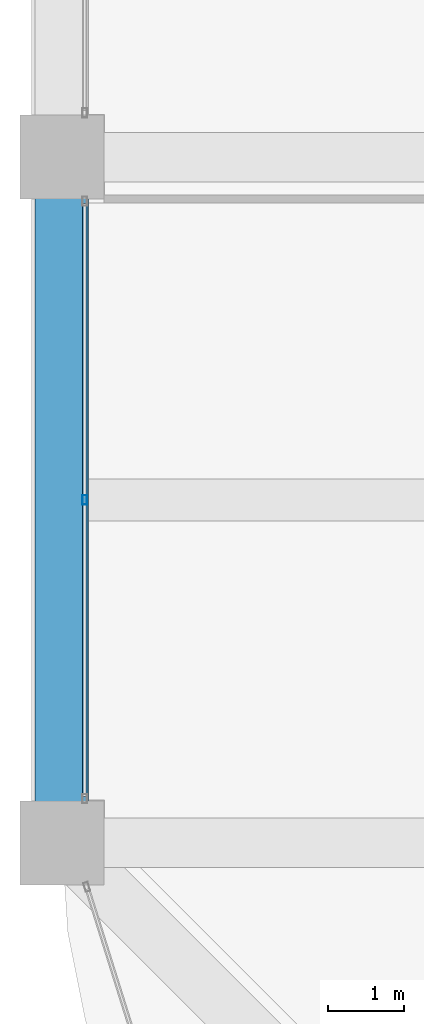
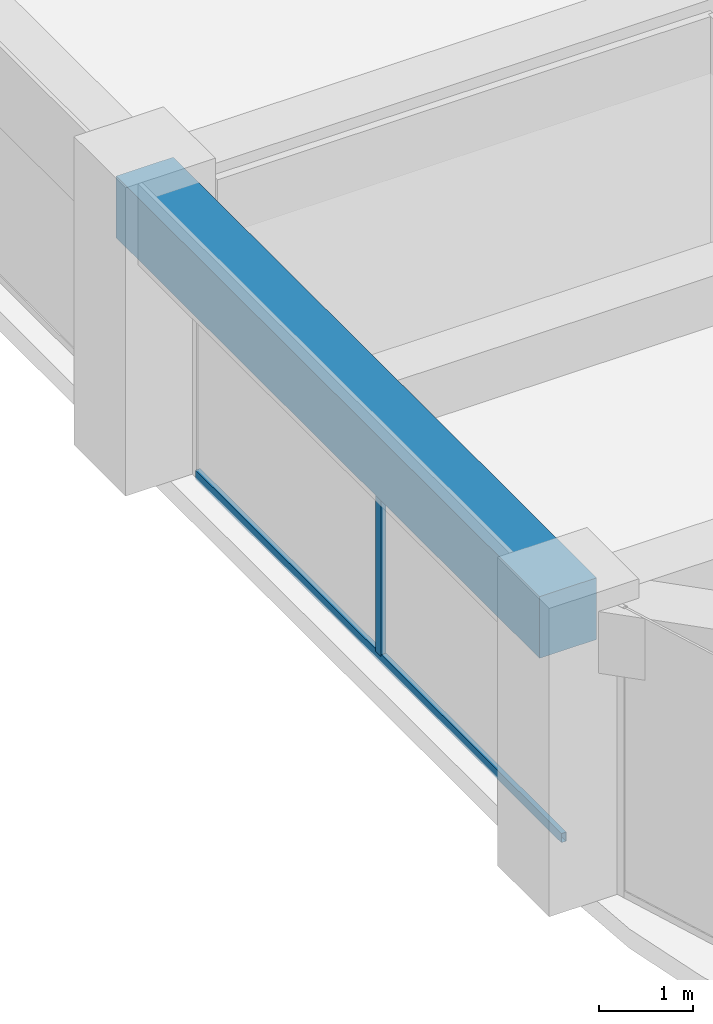
# One storey, part 7 of 44: 2 members, 1 beam, 1 element without a shape of its own.
"""IFC4 building model written with IfcOpenShell, lengths in metres."""

from ifc_helpers import new_model, si_unit, direction, frame, origin, origin_2d, place, context, subcontext, project, spatial, rectangle, hollow_rectangle, extrude, material, material_profile, profile_set, type_object, element, aggregate, save


model = new_model("IFC4")

# Units and contexts
model_context = context("Model", 3, precision=1e-05, world=origin(), true_north=direction((0.0, 1.0)))
body_context = subcontext(model_context, "Body", "Model", "MODEL_VIEW")
ifc_project = project(units=[si_unit("LENGTHUNIT", "METRE"), si_unit("AREAUNIT", "SQUARE_METRE"), si_unit("VOLUMEUNIT", "CUBIC_METRE"), si_unit("PLANEANGLEUNIT", "RADIAN"), si_unit("MASSUNIT", "GRAM", prefix="KILO")], contexts=[model_context])

# Site, building, storey
site_placement = place(None, origin())
site = spatial("IfcSite", under=ifc_project, at=site_placement, CompositionType="ELEMENT")
building_placement = place(site_placement, origin())
building = spatial("IfcBuilding", under=site, at=building_placement, Name="Zorevar Civic Tower", CompositionType="ELEMENT")
storey_placement = place(building_placement, frame((0.0, 0.0, 251.39990234375)))
storey = spatial("IfcBuildingStorey", under=building, at=storey_placement, Name="L61", CompositionType="ELEMENT", Elevation=251.39990234375)

# Curtain wall, members
ifc_material_1 = material(Name="Dark grey solar-control glass in black aluminium frame", Category="aluminium")
curtain_wall_type = type_object("IfcCurtainWallType", Name="Curtain wall CW5 top zone", PredefinedType="NOTDEFINED", material=ifc_material_1)
curtain_wall_placement = place(storey_placement, origin())
curtain_wall = element("IfcCurtainWall", 1, at=curtain_wall_placement, inside=storey, type_object=curtain_wall_type, Name="CW5 L61", PredefinedType="NOTDEFINED")
ifc_material_2 = material(Name="Aluminium, black anodised", Category="aluminium")
ifc_material_profile_1 = material_profile(ifc_material_2, hollow_rectangle(XDim=0.06005859375, YDim=0.1201171875, WallThickness=0.0029296875, at=origin_2d()), Name="AL 120x60x3")
ifc_profile_set_1 = profile_set([ifc_material_profile_1], Name="Aluminium, black anodised")
member_type_1 = type_object("IfcMemberType", Name="CW5 mullion AL 120x60x3", PredefinedType="MULLION", material=ifc_profile_set_1)
member_1_placement = place(storey_placement, frame((9.300048828125, 13.5, 0.06005859375), z_axis=(0.0, 0.0, 1.0), x_axis=(-1.0, 0.0, 0.0)))
member_1 = element("IfcMember", 2, at=member_1_placement, type_object=member_type_1, Name="CW5 mullion 2", PredefinedType="MULLION", context=body_context, shape_type="SweptSolid", body=[
    extrude(hollow_rectangle(XDim=0.06005859375, YDim=0.1201171875, WallThickness=0.0029296875, at=origin_2d()), origin(), (0.0, 0.0, 1.0), 2.89013671875),
])
ifc_material_3 = material(Name="Aluminium, black anodised", Category="aluminium")
ifc_material_profile_2 = material_profile(ifc_material_3, hollow_rectangle(XDim=0.06005859375, YDim=0.1201171875, WallThickness=0.0029296875, at=origin_2d()), Name="AL 120x60x3")
ifc_profile_set_2 = profile_set([ifc_material_profile_2], Name="Aluminium, black anodised")
member_type_2 = type_object("IfcMemberType", Name="CW5 transom AL 120x60x3", PredefinedType="USERDEFINED", material=ifc_profile_set_2)
member_2_placement = place(storey_placement, frame((9.300048828125, 9.610107421875, 0.030029296875), z_axis=(0.0, 1.0, 0.0), x_axis=(-1.0, 0.0, 0.0)))
member_2 = element("IfcMember", 3, at=member_2_placement, type_object=member_type_2, Name="CW5 sill transom", ObjectType="TRANSOM", PredefinedType="USERDEFINED", context=body_context, shape_type="SweptSolid", body=[
    extrude(hollow_rectangle(XDim=0.06005859375, YDim=0.1201171875, WallThickness=0.0029296875, at=origin_2d()), origin(), (0.0, 0.0, 1.0), 7.77978515625),
])
aggregate(curtain_wall, [member_1, member_2])

# Beam
ifc_material_4 = material(Name="Concrete C50/60", Category="concrete")
ifc_material_profile_3 = material_profile(ifc_material_4, rectangle(XDim=0.699951171875, YDim=0.800048828125, at=origin_2d()), Name="RC 700x800")
ifc_profile_set_3 = profile_set([ifc_material_profile_3], Name="Concrete C50/60")
beam_type = type_object("IfcBeamType", Name="Edge beam RC 700x800", PredefinedType="SPANDREL", material=ifc_profile_set_3)
beam_placement = place(storey_placement, frame((9.0, 9.0, 3.35009765625), z_axis=(0.0, 1.0, 0.0), x_axis=(-1.0, 0.0, 0.0)))
element("IfcBeam", 4, at=beam_placement, inside=storey, type_object=beam_type, Name="Edge beam L62", PredefinedType="SPANDREL", context=body_context, shape_type="SweptSolid", body=[
    extrude(rectangle(XDim=0.699951171875, YDim=0.800048828125, at=origin_2d()), origin(), (0.0, 0.0, 1.0), 9.0),
])

save(model, "model.ifc")
